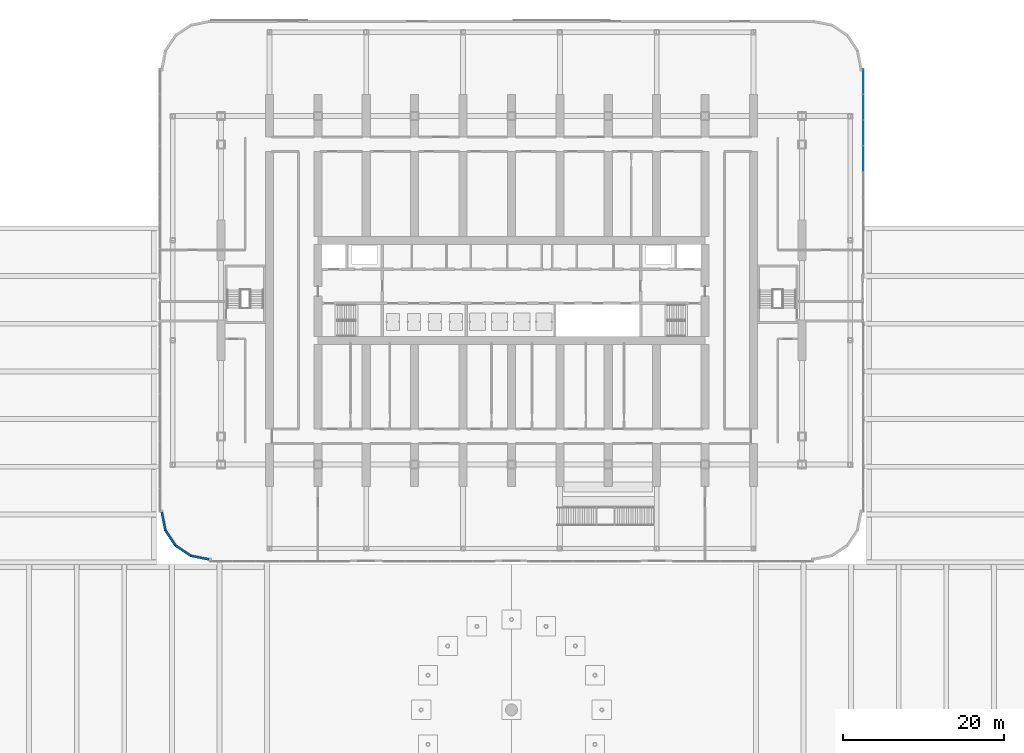
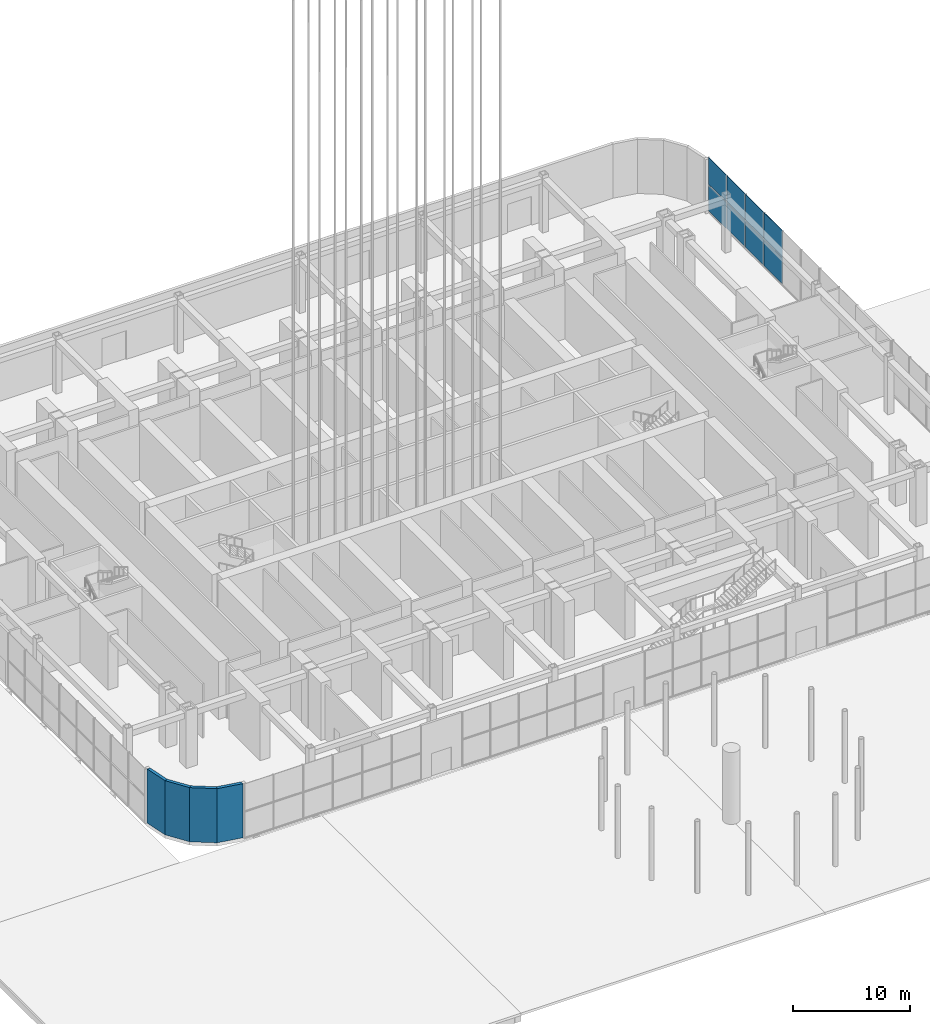
# One storey, part 16 of 57: 8 plates, 4 walls, 1 element without a shape of its own.
"""IFC4 building model written with IfcOpenShell, lengths in metres."""

from ifc_helpers import new_model, si_unit, direction, frame, origin, origin_2d, place, context, subcontext, project, spatial, polyline, rectangle, outline, extrude, material, layer, layer_set, type_object, element, aggregate, save


model = new_model("IFC4")

# Units and contexts
model_context = context("Model", 3, precision=1e-05, world=origin(), true_north=direction((0.0, 1.0)))
body_context = subcontext(model_context, "Body", "Model", "MODEL_VIEW")
ifc_project = project(units=[si_unit("LENGTHUNIT", "METRE"), si_unit("AREAUNIT", "SQUARE_METRE"), si_unit("VOLUMEUNIT", "CUBIC_METRE"), si_unit("PLANEANGLEUNIT", "RADIAN"), si_unit("MASSUNIT", "GRAM", prefix="KILO")], contexts=[model_context])

# Site, building, storey
site_placement = place(None, origin())
site = spatial("IfcSite", under=ifc_project, at=site_placement, CompositionType="ELEMENT")
building_placement = place(site_placement, origin())
building = spatial("IfcBuilding", under=site, at=building_placement, Name="Orbita Commons", CompositionType="ELEMENT")
storey_placement = place(building_placement, origin())
storey = spatial("IfcBuildingStorey", under=building, at=storey_placement, Name="L00", CompositionType="ELEMENT", Elevation=0.0)

# Curtain wall, plates
ifc_material_1 = material(Name="Anodised aluminium frame, pale silver", Category="aluminium")
curtain_wall_type = type_object("IfcCurtainWallType", Name="Lobby curtain wall CW-L", PredefinedType="NOTDEFINED", material=ifc_material_1)
curtain_wall_placement = place(storey_placement, origin())
curtain_wall = element("IfcCurtainWall", 1, at=curtain_wall_placement, inside=storey, type_object=curtain_wall_type, Name="Curtain wall E 2 L00", PredefinedType="NOTDEFINED")
ifc_material_2 = material(Name="Laminated glass", Category="glass")
ifc_layer_1 = layer(ifc_material_2, 0.0400390625)
ifc_layer_set_1 = layer_set([ifc_layer_1], Name="Laminated glass")
plate_type = type_object("IfcPlateType", Name="Lobby vision panel, laminated glass 40", PredefinedType="CURTAIN_PANEL", material=ifc_layer_set_1)
plate_1_placement = place(storey_placement, frame((85.610107421875, 48.34375, 0.10009765625), z_axis=(0.0, 0.0, 1.0), x_axis=(0.0, 1.0, 0.0)))
plate_1 = element("IfcPlate", 2, at=plate_1_placement, type_object=plate_type, Name="Panel 5.1 CW-L00-E1", PredefinedType="CURTAIN_PANEL", context=body_context, shape_type="SweptSolid", body=[
    extrude(rectangle(XDim=3.107421875, YDim=0.0400390625, at=origin_2d()), origin(), (0.0, 0.0, 1.0), 2.675048828125),
])
plate_2_placement = place(storey_placement, frame((85.610107421875, 48.34375, 2.875), z_axis=(0.0, 0.0, 1.0), x_axis=(0.0, 1.0, 0.0)))
plate_2 = element("IfcPlate", 3, at=plate_2_placement, type_object=plate_type, Name="Panel 5.2 CW-L00-E1", PredefinedType="CURTAIN_PANEL", context=body_context, shape_type="SweptSolid", body=[
    extrude(rectangle(XDim=3.107421875, YDim=0.0400390625, at=origin_2d()), origin(), (0.0, 0.0, 1.0), 2.77490234375),
])
plate_3_placement = place(storey_placement, frame((85.610107421875, 51.53125, 0.10009765625), z_axis=(0.0, 0.0, 1.0), x_axis=(0.0, 1.0, 0.0)))
plate_3 = element("IfcPlate", 4, at=plate_3_placement, type_object=plate_type, Name="Panel 6.1 CW-L00-E1", PredefinedType="CURTAIN_PANEL", context=body_context, shape_type="SweptSolid", body=[
    extrude(rectangle(XDim=3.107421875, YDim=0.0400390625, at=origin_2d()), origin(), (0.0, 0.0, 1.0), 2.675048828125),
])
plate_4_placement = place(storey_placement, frame((85.610107421875, 51.53125, 2.875), z_axis=(0.0, 0.0, 1.0), x_axis=(0.0, 1.0, 0.0)))
plate_4 = element("IfcPlate", 5, at=plate_4_placement, type_object=plate_type, Name="Panel 6.2 CW-L00-E1", PredefinedType="CURTAIN_PANEL", context=body_context, shape_type="SweptSolid", body=[
    extrude(rectangle(XDim=3.107421875, YDim=0.0400390625, at=origin_2d()), origin(), (0.0, 0.0, 1.0), 2.77490234375),
])
plate_5_placement = place(storey_placement, frame((85.610107421875, 54.71875, 0.10009765625), z_axis=(0.0, 0.0, 1.0), x_axis=(0.0, 1.0, 0.0)))
plate_5 = element("IfcPlate", 6, at=plate_5_placement, type_object=plate_type, Name="Panel 7.1 CW-L00-E1", PredefinedType="CURTAIN_PANEL", context=body_context, shape_type="SweptSolid", body=[
    extrude(rectangle(XDim=3.107421875, YDim=0.0400390625, at=origin_2d()), origin(), (0.0, 0.0, 1.0), 2.675048828125),
])
plate_6_placement = place(storey_placement, frame((85.610107421875, 54.71875, 2.875), z_axis=(0.0, 0.0, 1.0), x_axis=(0.0, 1.0, 0.0)))
plate_6 = element("IfcPlate", 7, at=plate_6_placement, type_object=plate_type, Name="Panel 7.2 CW-L00-E1", PredefinedType="CURTAIN_PANEL", context=body_context, shape_type="SweptSolid", body=[
    extrude(rectangle(XDim=3.107421875, YDim=0.0400390625, at=origin_2d()), origin(), (0.0, 0.0, 1.0), 2.77490234375),
])
plate_7_placement = place(storey_placement, frame((85.610107421875, 57.88623046875, 0.10009765625), z_axis=(0.0, 0.0, 1.0), x_axis=(0.0, 1.0, 0.0)))
plate_7 = element("IfcPlate", 8, at=plate_7_placement, type_object=plate_type, Name="Panel 8.1 CW-L00-E1", PredefinedType="CURTAIN_PANEL", context=body_context, shape_type="SweptSolid", body=[
    extrude(rectangle(XDim=3.0673828125, YDim=0.0400390625, at=origin_2d()), origin(), (0.0, 0.0, 1.0), 2.675048828125),
])
plate_8_placement = place(storey_placement, frame((85.610107421875, 57.88623046875, 2.875), z_axis=(0.0, 0.0, 1.0), x_axis=(0.0, 1.0, 0.0)))
plate_8 = element("IfcPlate", 9, at=plate_8_placement, type_object=plate_type, Name="Panel 8.2 CW-L00-E1", PredefinedType="CURTAIN_PANEL", context=body_context, shape_type="SweptSolid", body=[
    extrude(rectangle(XDim=3.0673828125, YDim=0.0400390625, at=origin_2d()), origin(), (0.0, 0.0, 1.0), 2.77490234375),
])
aggregate(curtain_wall, [plate_1, plate_2, plate_3, plate_4, plate_5, plate_6, plate_7, plate_8])

# Walls
ifc_material_3 = material(Name="Precast concrete C40/50, white board-marked finish", Category="concrete")
ifc_layer_2 = layer(ifc_material_3, 0.300048828125)
ifc_layer_set_2 = layer_set([ifc_layer_2], Name="Precast concrete C40/50, white board-marked finish")
wall_type = type_object("IfcWallType", Name="Precast concrete end shield 300", PredefinedType="SOLIDWALL", material=ifc_layer_set_2)
wall_1_placement = place(storey_placement, frame((-1.35009765625, 4.5, 0.0), z_axis=(0.0, 0.0, 1.0), x_axis=(0.195087604935, -0.98078582086, 0.0)))
element("IfcWall", 10, at=wall_1_placement, inside=storey, type_object=wall_type, Name="Podium corner wall SW 1 L00", PredefinedType="SOLIDWALL", context=body_context, shape_type="SweptSolid", body=[
    extrude(outline(polyline([(-0.014892578125, -0.14990234375), (2.3125, -0.14990234375), (2.2529296875, 0.14990234375), (0.014892578125, 0.14990234375), (-0.014892578125, -0.14990234375)])), origin(), (0.0, 0.0, 1.0), 5.64990234375),
])
for number, where, z_axis, x_axis, name in (
    (11, (-0.90478515625, 2.26123046875, 0.0), (0.0, 0.0, 1.0), (0.555539121903, -0.831490399244, 0.0), "Podium corner wall SW 2 L00"),
    (12, (0.36328125, 0.36328125, 0.0), (0.0, 0.0, 1.0), (0.831490399244, -0.555539121903, 0.0), "Podium corner wall SW 3 L00"),
):
    element("IfcWall", number, at=place(storey_placement, frame(where, z_axis=z_axis, x_axis=x_axis)), inside=storey, type_object=wall_type, Name=name, PredefinedType="SOLIDWALL", context=body_context, shape_type="SweptSolid", body=[
        extrude(outline(polyline([(-0.02978515625, -0.14990234375), (2.312255859375, -0.14990234375), (2.252685546875, 0.14990234375), (0.02978515625, 0.14990234375), (-0.02978515625, -0.14990234375)])), origin(), (0.0, 0.0, 1.0), 5.64990234375),
    ])
wall_2_placement = place(storey_placement, frame((2.26123046875, -0.90478515625, 0.0), z_axis=(0.0, 0.0, 1.0), x_axis=(0.98078582086, -0.195087604935, 0.0)))
element("IfcWall", 13, at=wall_2_placement, inside=storey, type_object=wall_type, Name="Podium corner wall SW 4 L00", PredefinedType="SOLIDWALL", context=body_context, shape_type="SweptSolid", body=[
    extrude(outline(polyline([(-0.02978515625, -0.14990234375), (2.3125, -0.14990234375), (2.2529296875, 0.14990234375), (0.02978515625, 0.14990234375), (-0.02978515625, -0.14990234375)])), origin(), (0.0, 0.0, 1.0), 5.64990234375),
])

save(model, "model.ifc")
